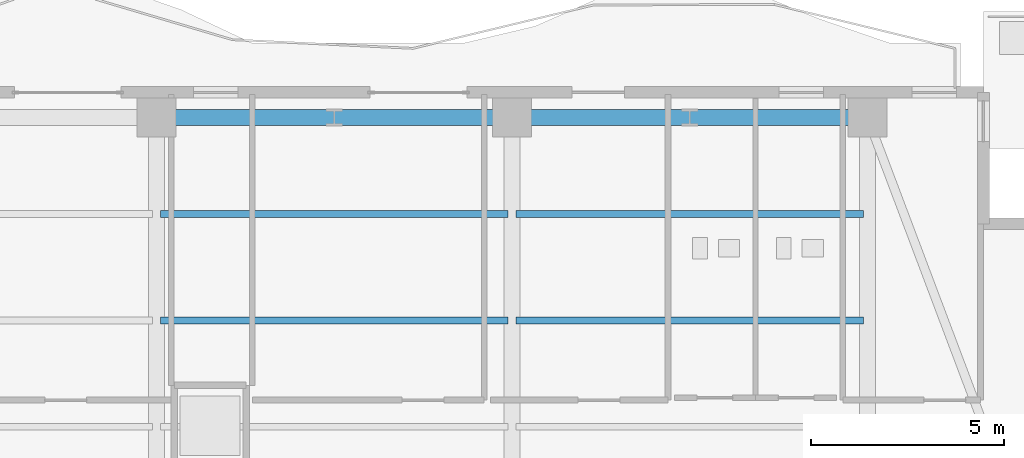
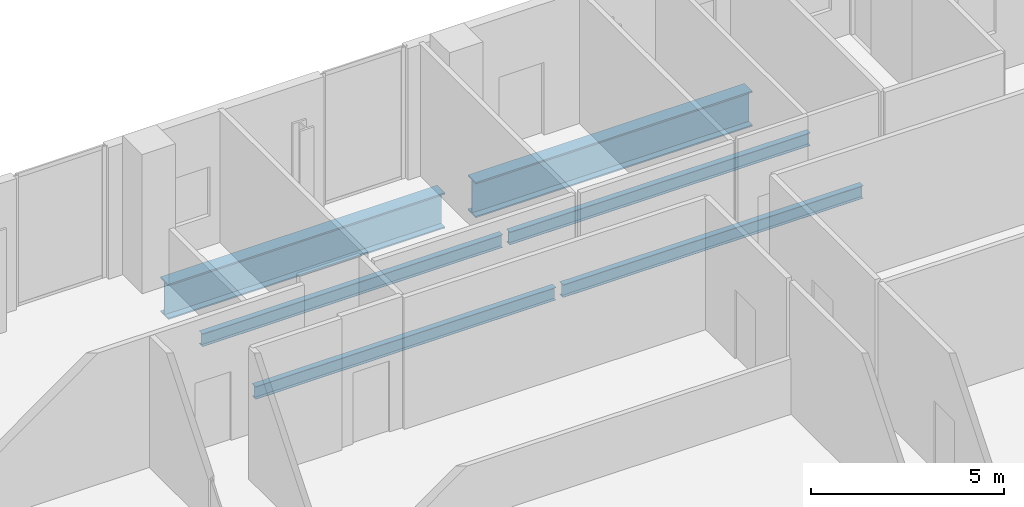
# One storey, part 13 of 24: 6 beams.
"""IFC4 building model written with IfcOpenShell, lengths in metres."""

from ifc_helpers import new_model, si_unit, direction, frame, origin, origin_2d, place, context, subcontext, project, spatial, i_section, extrude, material, material_profile, profile_set, type_object, element, save


model = new_model("IFC4")

# Units and contexts
model_context = context("Model", 3, precision=1e-05, world=origin(), true_north=direction((0.0, 1.0)))
body_context = subcontext(model_context, "Body", "Model", "MODEL_VIEW")
ifc_project = project(units=[si_unit("LENGTHUNIT", "METRE"), si_unit("AREAUNIT", "SQUARE_METRE"), si_unit("VOLUMEUNIT", "CUBIC_METRE"), si_unit("PLANEANGLEUNIT", "RADIAN"), si_unit("MASSUNIT", "GRAM", prefix="KILO")], contexts=[model_context])

# Site, building, storey
site_placement = place(None, origin())
site = spatial("IfcSite", under=ifc_project, at=site_placement, CompositionType="ELEMENT")
building_placement = place(site_placement, origin())
building = spatial("IfcBuilding", under=site, at=building_placement, Name="Zuhayl Quay Hotel", CompositionType="ELEMENT")
storey_placement = place(building_placement, frame((0.0, 0.0, 292.85009765625)))
storey = spatial("IfcBuildingStorey", under=building, at=storey_placement, Name="L74", CompositionType="ELEMENT", Elevation=292.85009765625)

# Beams
ifc_material_1 = material(Name="Steel ASTM A992 Grade 50", Category="steel")
ifc_material_profile_1 = material_profile(ifc_material_1, i_section(OverallWidth=0.177978515625, OverallDepth=0.404052734375, WebThickness=0.007568359375, FlangeThickness=0.010986328125, at=origin_2d()), Name="W16X36")
ifc_profile_set_1 = profile_set([ifc_material_profile_1], Name="Steel ASTM A992 Grade 50")
beam_type_1 = type_object("IfcBeamType", Name="BM_J3_W16X36", PredefinedType="JOIST", material=ifc_profile_set_1)
beam_1_placement = place(storey_placement, frame((-4.493896484375, 33.10009765625, -0.422119140625), z_axis=(1.0, 0.0, 0.0), x_axis=(0.0, 1.0, 0.0)))
element("IfcBeam", 1, at=beam_1_placement, inside=storey, type_object=beam_type_1, Name="L74 Floor Beam FJ_L74_7_2", PredefinedType="JOIST", context=body_context, shape_type="SweptSolid", body=[
    extrude(i_section(OverallWidth=0.177978515625, OverallDepth=0.404052734375, WebThickness=0.007568359375, FlangeThickness=0.010986328125, at=origin_2d()), origin(), (0.0, 0.0, 1.0), 8.98779296875),
])
beam_2_placement = place(storey_placement, frame((4.7060546875, 33.10009765625, -0.422119140625), z_axis=(1.0, 0.0, 0.0), x_axis=(0.0, 1.0, 0.0)))
element("IfcBeam", 2, at=beam_2_placement, inside=storey, type_object=beam_type_1, Name="L74 Floor Beam FJ_L74_7_3", PredefinedType="JOIST", context=body_context, shape_type="SweptSolid", body=[
    extrude(i_section(OverallWidth=0.177978515625, OverallDepth=0.404052734375, WebThickness=0.007568359375, FlangeThickness=0.010986328125, at=origin_2d()), origin(), (0.0, 0.0, 1.0), 8.988037109375),
])
beam_3_placement = place(storey_placement, frame((-4.493896484375, 35.85009765625, -0.422119140625), z_axis=(1.0, 0.0, 0.0), x_axis=(0.0, 1.0, 0.0)))
element("IfcBeam", 3, at=beam_3_placement, inside=storey, type_object=beam_type_1, Name="L74 Floor Beam FJ_L74_8_2", PredefinedType="JOIST", context=body_context, shape_type="SweptSolid", body=[
    extrude(i_section(OverallWidth=0.177978515625, OverallDepth=0.404052734375, WebThickness=0.007568359375, FlangeThickness=0.010986328125, at=origin_2d()), origin(), (0.0, 0.0, 1.0), 8.98779296875),
])
beam_4_placement = place(storey_placement, frame((4.7060546875, 35.85009765625, -0.422119140625), z_axis=(1.0, 0.0, 0.0), x_axis=(0.0, 1.0, 0.0)))
element("IfcBeam", 4, at=beam_4_placement, inside=storey, type_object=beam_type_1, Name="L74 Floor Beam FJ_L74_8_3", PredefinedType="JOIST", context=body_context, shape_type="SweptSolid", body=[
    extrude(i_section(OverallWidth=0.177978515625, OverallDepth=0.404052734375, WebThickness=0.007568359375, FlangeThickness=0.010986328125, at=origin_2d()), origin(), (0.0, 0.0, 1.0), 8.988037109375),
])
ifc_material_2 = material(Name="Steel ASTM A913 Grade 65", Category="steel")
ifc_material_profile_2 = material_profile(ifc_material_2, i_section(OverallWidth=0.404052734375, OverallDepth=1.117919921875, WebThickness=0.026123046875, FlangeThickness=0.044921875, at=origin_2d()), Name="W44X335")
ifc_profile_set_2 = profile_set([ifc_material_profile_2], Name="Steel ASTM A913 Grade 65")
beam_type_2 = type_object("IfcBeamType", Name="BM_TG1_W44X335", PredefinedType="BEAM", material=ifc_profile_set_2)
beam_5_placement = place(storey_placement, frame((13.340087890625, 38.35009765625, -0.779052734375), z_axis=(-1.0, 0.0, 0.0), x_axis=(0.0, -1.0, 0.0)))
element("IfcBeam", 5, at=beam_5_placement, inside=storey, type_object=beam_type_2, Name="L74 Floor Beam RG_L74_07", PredefinedType="BEAM", context=body_context, shape_type="SweptSolid", body=[
    extrude(i_section(OverallWidth=0.404052734375, OverallDepth=1.117919921875, WebThickness=0.026123046875, FlangeThickness=0.044921875, at=origin_2d()), origin(), (0.0, 0.0, 1.0), 8.280029296875),
])
beam_6_placement = place(storey_placement, frame((4.139892578125, 38.35009765625, -0.779052734375), z_axis=(-1.0, 0.0, 0.0), x_axis=(0.0, -1.0, 0.0)))
element("IfcBeam", 6, at=beam_6_placement, inside=storey, type_object=beam_type_2, Name="L74 Floor Beam RG_L74_08", PredefinedType="BEAM", context=body_context, shape_type="SweptSolid", body=[
    extrude(i_section(OverallWidth=0.404052734375, OverallDepth=1.117919921875, WebThickness=0.026123046875, FlangeThickness=0.044921875, at=origin_2d()), origin(), (0.0, 0.0, 1.0), 8.27978515625),
])

save(model, "model.ifc")
